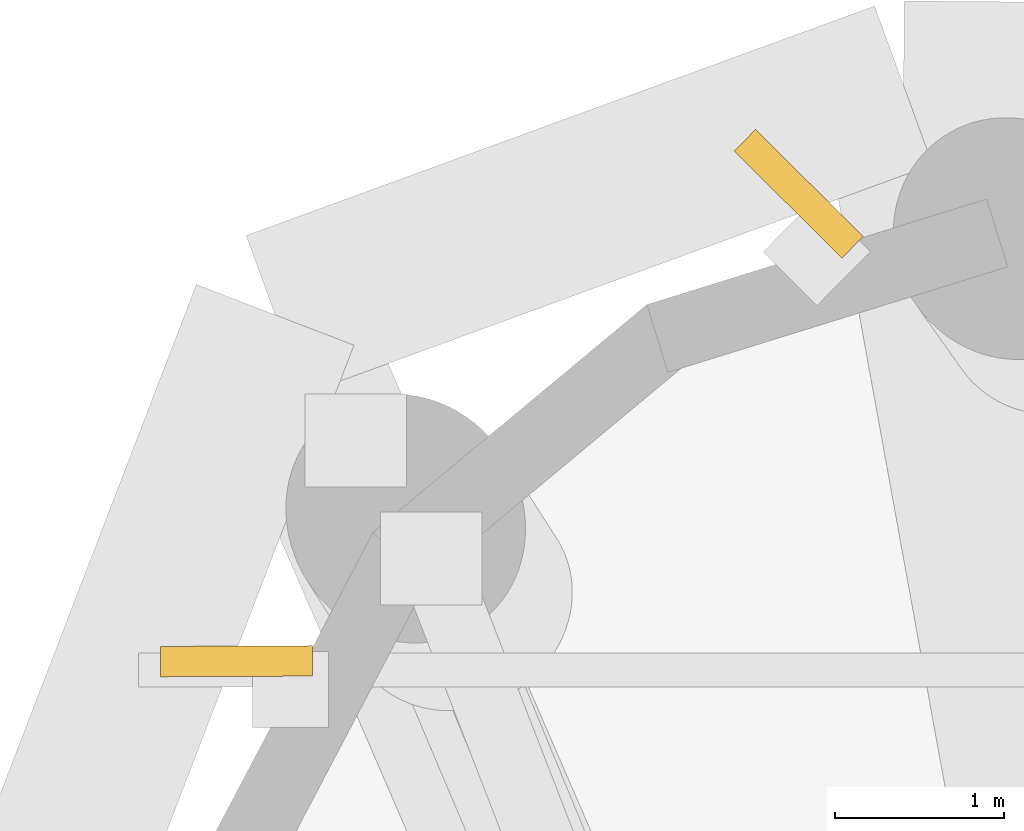
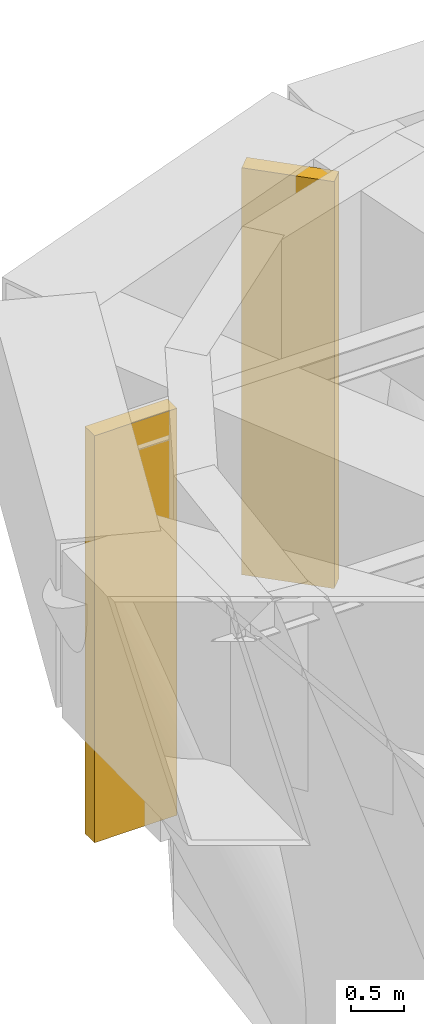
# One storey, part 13 of 15: 2 shading devices.
"""IFC4 building model written with IfcOpenShell, lengths in metres."""

from ifc_helpers import new_model, si_unit, direction, frame, origin, origin_2d, place, context, subcontext, project, spatial, rectangle, extrude, material, type_object, element, save


model = new_model("IFC4")

# Units and contexts
model_context = context("Model", 3, precision=1e-05, world=origin(), true_north=direction((0.0, 1.0)))
body_context = subcontext(model_context, "Body", "Model", "MODEL_VIEW")
ifc_project = project(units=[si_unit("LENGTHUNIT", "METRE"), si_unit("AREAUNIT", "SQUARE_METRE"), si_unit("VOLUMEUNIT", "CUBIC_METRE"), si_unit("PLANEANGLEUNIT", "RADIAN"), si_unit("MASSUNIT", "GRAM", prefix="KILO")], contexts=[model_context])

# Site, building, storey
site_placement = place(None, origin())
site = spatial("IfcSite", under=ifc_project, at=site_placement, CompositionType="ELEMENT")
building_placement = place(site_placement, origin())
building = spatial("IfcBuilding", under=site, at=building_placement, Name="Kolvaren Arena Tower", CompositionType="ELEMENT")
storey_placement = place(building_placement, frame((0.0, 0.0, 153.25)))
storey = spatial("IfcBuildingStorey", under=building, at=storey_placement, Name="L36", CompositionType="ELEMENT", Elevation=153.25)

# Shading devices
ifc_material = material(Name="Precast architectural concrete C50/60 rib fin", Category="concrete")
shading_device_type = type_object("IfcShadingDeviceType", Name="SHAD-FIN-28", PredefinedType="USERDEFINED", material=ifc_material)
for number, where, z_axis, x_axis, name in (
    (1, (10.82373046875, 50.31982421875, 0.02001953125), (0.0, 0.0, 1.0), (-0.710184146885, 0.704015963962, 0.0), "Precast 28-Deg Corner Rib Fin (L36)"),
    (2, (7.495361328125, 47.5517578125, 0.02001953125), (0.0, 0.0, 1.0), (-0.999990541547, -0.004349346783, 0.0), "Precast 28-Deg Corner Rib Fin (L36)"),
):
    element("IfcShadingDevice", number, at=place(storey_placement, frame(where, z_axis=z_axis, x_axis=x_axis)), inside=storey, type_object=shading_device_type, Name=name, ObjectType="FIN", PredefinedType="USERDEFINED", context=body_context, shape_type="SweptSolid", body=[
        extrude(rectangle(XDim=0.89990234375, YDim=0.179931640625, at=origin_2d()), origin(), (0.0, 0.0, 1.0), 4.669921875),
    ])

save(model, "model.ifc")
